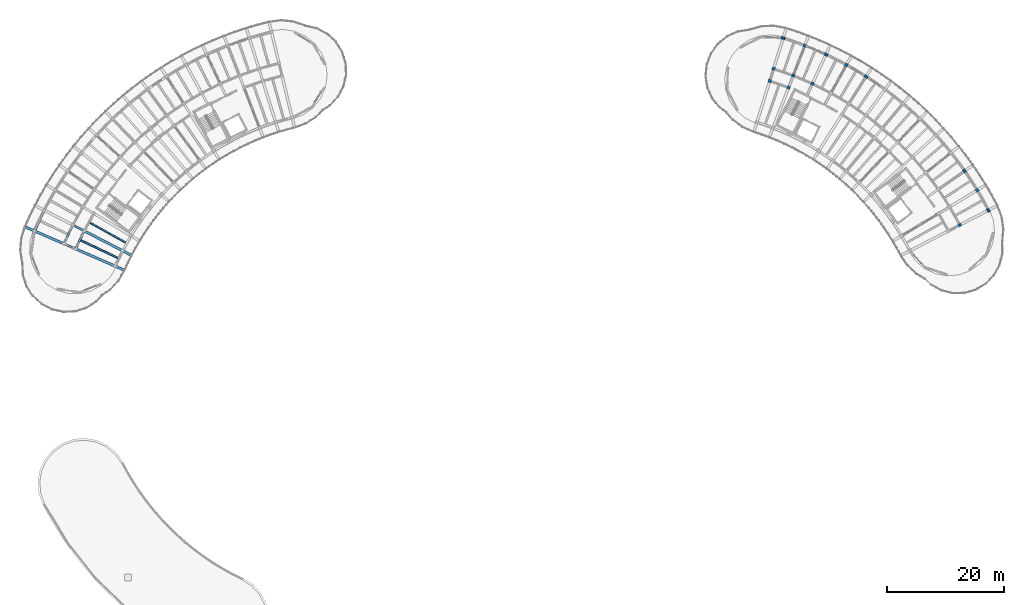
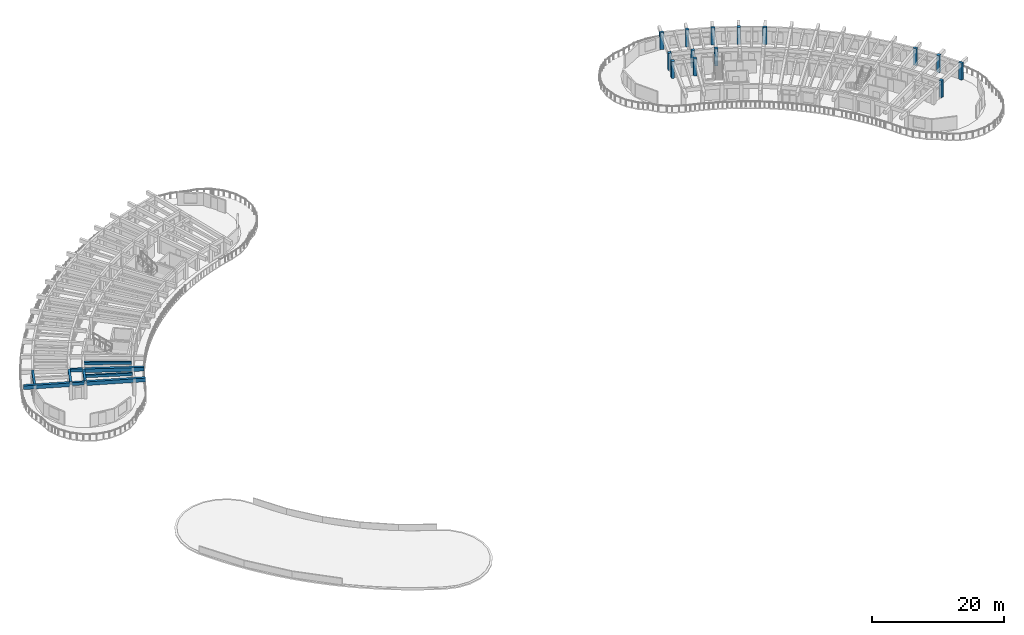
# One storey, part 2 of 36: 14 columns, 10 beams.
"""IFC4 building model written with IfcOpenShell, lengths in metres."""

import ifcopenshell
import ifcopenshell.guid

model = None  # the IFC model being written
_history = None  # IfcOwnerHistory: only IFC2X3 demands one
_inside = {}  # id of a spatial element -> (the spatial element, [elements in it])
_under = {}  # id of a project, library or spatial element -> (it, [spatial elements below it])
_declared = {}  # id of a project -> (the project, [libraries it declares])
_typed = {}  # id of a type object -> (the type object, [elements of that type])
_made_of = {}  # id of a material, layer set ... -> (it, [elements and type objects made of it])


def new_model(schema):
    """Start an empty IFC model of exactly this schema.

    Asked for "IFC4X3", IfcOpenShell would pick the latest addendum, in which some entities
    have other attributes; the version numbers below select the first issue.
    IFC2X3 requires an IfcOwnerHistory on every rooted entity: one is made here for all.
    """
    global model, _history
    if schema == "IFC4X3":
        model = ifcopenshell.file(schema_version=(4, 3, 0, 0))
    else:
        model = ifcopenshell.file(schema=schema)
    _inside.clear()
    _under.clear()
    _declared.clear()
    _typed.clear()
    _made_of.clear()
    _history = None
    if model.schema == "IFC2X3":
        org = make("IfcOrganization", Name="unknown")
        user = make(
            "IfcPersonAndOrganization",
            ThePerson=make("IfcPerson", FamilyName="unknown"),
            TheOrganization=org,
        )
        app = make(
            "IfcApplication",
            ApplicationDeveloper=org,
            Version="unknown",
            ApplicationFullName="unknown",
            ApplicationIdentifier="unknown",
        )
        _history = make(
            "IfcOwnerHistory",
            OwningUser=user,
            OwningApplication=app,
            ChangeAction="ADDED",
            CreationDate=0,
        )
    return model


def make(cls, **values):
    """One entity of the class cls with the attributes given. An attribute that is None is left unset."""
    return model.create_entity(
        cls, **{name: value for name, value in values.items() if value is not None}
    )


def rooted(cls, **values):
    """An entity with a GlobalId (a new one), such as an element, a storey or a relation."""
    return make(cls, GlobalId=ifcopenshell.guid.new(), OwnerHistory=_history, **values)


def si_unit(unit_type, name, prefix=None):
    """IfcSIUnit, for example si_unit("LENGTHUNIT", "METRE", prefix="MILLI")."""
    return make("IfcSIUnit", UnitType=unit_type, Prefix=prefix, Name=name)


def assignment(units):
    """IfcUnitAssignment: the units of a project."""
    return None if units is None else make("IfcUnitAssignment", Units=units)


def point(xyz):
    """IfcCartesianPoint."""
    return None if xyz is None else make("IfcCartesianPoint", Coordinates=xyz)


def direction(xyz):
    """IfcDirection."""
    return None if xyz is None else make("IfcDirection", DirectionRatios=xyz)


def frame(location, z_axis=None, x_axis=None):
    """IfcAxis2Placement3D, a coordinate frame: its origin and axes. An axis left out is left unset."""
    return make(
        "IfcAxis2Placement3D",
        Location=point(location),
        Axis=direction(z_axis),
        RefDirection=direction(x_axis),
    )


def frame_2d(location, x_axis=None):
    """IfcAxis2Placement2D, a coordinate frame in the plane: its origin and x axis."""
    return make(
        "IfcAxis2Placement2D", Location=point(location), RefDirection=direction(x_axis)
    )


def origin():
    """The frame at (0, 0, 0) with its axes left unset."""
    return frame((0.0, 0.0, 0.0))


def origin_2d():
    """The frame at (0, 0) in the plane with its x axis left unset."""
    return frame_2d((0.0, 0.0))


def place(relative_to, where):
    """IfcLocalPlacement: puts the frame where relative to a parent placement (None: the world)."""
    return make(
        "IfcLocalPlacement", PlacementRelTo=relative_to, RelativePlacement=where
    )


def context(
    kind, dimensions, precision=None, world=None, true_north=None, identifier=None
):
    """IfcGeometricRepresentationContext, for example the 3D "Model" context."""
    return make(
        "IfcGeometricRepresentationContext",
        ContextIdentifier=identifier,
        ContextType=kind,
        CoordinateSpaceDimension=dimensions,
        Precision=precision,
        WorldCoordinateSystem=world,
        TrueNorth=true_north,
    )


def subcontext(parent, identifier, kind, view, scale=None):
    """IfcGeometricRepresentationSubContext, for example "Body" below "Model"."""
    return make(
        "IfcGeometricRepresentationSubContext",
        ContextIdentifier=identifier,
        ContextType=kind,
        ParentContext=parent,
        TargetScale=scale,
        TargetView=view,
    )


def project(units=None, contexts=None):
    """IfcProject with its units and contexts."""
    return rooted(
        "IfcProject",
        Name="project",
        RepresentationContexts=contexts,
        UnitsInContext=assignment(units),
    )


def spatial(cls, under=None, at=None, **own):
    """A site, building, storey or space (cls), placed at a placement, below another one or the project."""
    s = rooted(cls, ObjectPlacement=at, **own)
    if under is not None:
        _under.setdefault(under.id(), (under, []))[1].append(s)
    return s


def profile(cls, at=None, kind="AREA", **sizes):
    """A parametric profile (cls). Its sizes go by their IFC names, for example OverallWidth=200.0."""
    return make(cls, ProfileType=kind, Position=at, **sizes)


def rectangle(**sizes):
    """IfcRectangleProfileDef."""
    return profile("IfcRectangleProfileDef", **sizes)


def extrude(swept, where, along, depth):
    """IfcExtrudedAreaSolid: the profile swept, set in the frame where, extruded along a direction by depth."""
    return make(
        "IfcExtrudedAreaSolid",
        SweptArea=swept,
        Position=where,
        ExtrudedDirection=direction(along),
        Depth=depth,
    )


def shape(context_of_items, identifier, shape_type, items):
    """IfcShapeRepresentation: the items that make up one representation, for example the "Body"."""
    return make(
        "IfcShapeRepresentation",
        ContextOfItems=context_of_items,
        RepresentationIdentifier=identifier,
        RepresentationType=shape_type,
        Items=items,
    )


def material(Name=None, Category=None):
    """IfcMaterial."""
    return make("IfcMaterial", Name=Name, Category=Category)


def material_profile(
    of_material, cross_section, Name=None, Category=None, Priority=None
):
    """IfcMaterialProfile: a cross section and its material."""
    return make(
        "IfcMaterialProfile",
        Name=Name,
        Material=of_material,
        Profile=cross_section,
        Priority=Priority,
        Category=Category,
    )


def profile_set(profiles, Name=None, composite=None):
    """IfcMaterialProfileSet."""
    return make(
        "IfcMaterialProfileSet",
        Name=Name,
        MaterialProfiles=profiles,
        CompositeProfile=composite,
    )


def made_of(thing, what):
    """Note that an element or type object is made of a material, layer set ...; save() writes the relation."""
    if what is not None:
        _made_of.setdefault(what.id(), (what, []))[1].append(thing)
    return thing


def type_object(cls, material=None, **own):
    """A type object (cls), such as IfcWallType, which elements share."""
    return made_of(rooted(cls, **own), material)


def element(
    cls,
    number,
    at=None,
    inside=None,
    cuts=None,
    type_object=None,
    material=None,
    context=None,
    identifier="Body",
    shape_type=None,
    held_by="IfcProductDefinitionShape",
    body=None,
    shapes=None,
    **own,
):
    """One element of the class cls, such as IfcWall. Its Tag is "e" and its number.

    at: its placement. inside: the storey or other place that contains it. cuts: it is an
    opening in that element (IfcRelVoidsElement). A single representation is given by context,
    identifier, shape_type and body (its items); several are given by shapes. held_by: the class
    of the entity that holds the representations. save() writes the other relations.
    """
    e = rooted(cls, Tag="e%d" % number, ObjectPlacement=at, **own)
    if body is not None:
        shapes = [shape(context, identifier, shape_type, body)]
    if shapes is not None:
        e.Representation = make(held_by, Representations=shapes)
    if inside is not None:
        _inside.setdefault(inside.id(), (inside, []))[1].append(e)
    if cuts is not None:
        rooted(
            "IfcRelVoidsElement", RelatingBuildingElement=cuts, RelatedOpeningElement=e
        )
    if type_object is not None:
        _typed.setdefault(type_object.id(), (type_object, []))[1].append(e)
    return made_of(e, material)


def aggregate(whole, parts):
    """IfcRelAggregates: a whole, such as a stair, and the parts it consists of."""
    return rooted("IfcRelAggregates", RelatingObject=whole, RelatedObjects=parts)


def save(model, path):
    """Write the relations noted so far, then the file.

    IfcRelAggregates (storeys below a building ...), IfcRelContainedInSpatialStructure (elements
    in a storey), IfcRelDefinesByType, IfcRelAssociatesMaterial and IfcRelDeclares: one each for
    every whole, place, type object, material and project.
    """
    for whole, parts in _under.values():
        aggregate(whole, parts)
    for where, things in _inside.values():
        rooted(
            "IfcRelContainedInSpatialStructure",
            RelatedElements=things,
            RelatingStructure=where,
        )
    for kind, things in _typed.values():
        rooted("IfcRelDefinesByType", RelatedObjects=things, RelatingType=kind)
    for what, things in _made_of.values():
        rooted("IfcRelAssociatesMaterial", RelatedObjects=things, RelatingMaterial=what)
    for by, libraries in _declared.values():
        rooted("IfcRelDeclares", RelatingContext=by, RelatedDefinitions=libraries)
    model.write(path)


model = new_model("IFC4")

# Units and contexts
model_context = context("Model", 3, precision=1e-05, world=origin(), true_north=direction((0.0, 1.0)))
body_context = subcontext(model_context, "Body", "Model", "MODEL_VIEW")
ifc_project = project(units=[si_unit("LENGTHUNIT", "METRE"), si_unit("AREAUNIT", "SQUARE_METRE"), si_unit("VOLUMEUNIT", "CUBIC_METRE"), si_unit("PLANEANGLEUNIT", "RADIAN"), si_unit("MASSUNIT", "GRAM", prefix="KILO")], contexts=[model_context])

# Site, building, storey
site_placement = place(None, origin())
site = spatial("IfcSite", under=ifc_project, at=site_placement, CompositionType="ELEMENT")
building_placement = place(site_placement, origin())
building = spatial("IfcBuilding", under=site, at=building_placement, Name="Tanwirah Colonnade Gardens", CompositionType="ELEMENT")
storey_placement = place(building_placement, frame((0.0, 0.0, 39.080078125)))
storey = spatial("IfcBuildingStorey", under=building, at=storey_placement, Name="L11", CompositionType="ELEMENT", Elevation=39.080078125)

# Columns
ifc_material_1 = material(Name="Precast concrete C45/55", Category="concrete")
ifc_material_profile_1 = material_profile(ifc_material_1, rectangle(XDim=0.52001953125, YDim=0.52001953125, at=origin_2d()), Name="PC-COL 520x520")
ifc_profile_set_1 = profile_set([ifc_material_profile_1], Name="Precast concrete C45/55")
column_type_1 = type_object("IfcColumnType", Name="C-PC520", PredefinedType="COLUMN", material=ifc_profile_set_1)
for number, where, z_axis, x_axis, name in (
    (1, (169.015380859375, 85.01806640625, 0.0), (0.0, 0.0, 1.0), (0.88835024545, 0.459166463723, 0.0), "Block B L11 Column 3-R2"),
    (2, (171.984619140625, 90.969482421875, 0.0), (0.0, 0.0, 1.0), (0.856166891514, 0.516699384434, 0.0), "Block B L11 Column 4-R3"),
    (3, (149.56689453125, 112.45068359375, 0.0), (0.0, 0.0, 1.0), (0.479713072413, 0.877425420281, 0.0), "Block B L11 Column 12-R3"),
    (4, (143.74755859375, 109.230224609375, 0.0), (0.0, 0.0, 1.0), (0.420859860775, 0.907125668024, 0.0), "Block B L11 Column 13-R2"),
    (5, (139.67529296875, 108.570068359375, 0.0), (0.0, 0.0, 1.0), (0.36017767415, 0.932883724289, 0.0), "Block B L11 Column 14-R1"),
    (6, (140.467529296875, 110.622314453125, 0.0), (0.0, 0.0, 1.0), (0.36017767415, 0.932883724289, 0.0), "Block B L11 Column 14-R2"),
    (7, (142.448486328125, 115.753173828125, 0.0), (0.0, 0.0, 1.0), (0.36017767415, 0.932883724289, 0.0), "Block B L11 Column 14-R3"),
    (8, (136.44775390625, 109.6953125, 0.0), (0.0, 0.0, 1.0), (0.297930225503, 0.954587649581, 0.0), "Block B L11 Column 15-R1"),
    (9, (137.10302734375, 111.79541015625, 0.0), (0.0, 0.0, 1.0), (0.297930225503, 0.954587649581, 0.0), "Block B L11 Column 15-R2"),
):
    element("IfcColumn", number, at=place(storey_placement, frame(where, z_axis=z_axis, x_axis=x_axis)), inside=storey, type_object=column_type_1, Name=name, PredefinedType="COLUMN", context=body_context, shape_type="SweptSolid", body=[
        extrude(rectangle(XDim=0.52001953125, YDim=0.52001953125, at=origin_2d()), origin(), (0.0, 0.0, 1.0), 3.119873046875),
    ])
ifc_material_2 = material(Name="Precast concrete C40/50", Category="concrete")
ifc_material_profile_2 = material_profile(ifc_material_2, rectangle(XDim=0.389892578125, YDim=0.6298828125, at=origin_2d()), Name="PC-PIL 390x630")
ifc_profile_set_2 = profile_set([ifc_material_profile_2], Name="Precast concrete C40/50")
column_type_2 = type_object("IfcColumnType", Name="PIL-360", PredefinedType="PILASTER", material=ifc_profile_set_2)
for number, where, z_axis, x_axis, name in (
    (10, (173.9013671875, 87.54345703125, 0.0), (0.0, 0.0, 1.0), (0.88835024545, 0.459166463723, 0.0), "Block B L11 Column 3-R3"),
    (11, (169.8466796875, 94.26171875, 0.0), (0.0, 0.0, 1.0), (0.820262803018, 0.571986830255, 0.0), "Block B L11 Column 5-R3"),
    (12, (152.947509765625, 110.455078125, 0.0), (0.0, 0.0, 1.0), (0.536481544469, 0.843912052553, 0.0), "Block B L11 Column 11-R3"),
    (13, (146.062255859375, 114.21923828125, 0.0), (0.0, 0.0, 1.0), (0.420859860775, 0.907125668024, 0.0), "Block B L11 Column 13-R3"),
    (14, (138.74169921875, 117.045654296875, 0.0), (0.0, 0.0, 1.0), (0.297930225503, 0.954587649581, 0.0), "Block B L11 Column 15-R3"),
):
    element("IfcColumn", number, at=place(storey_placement, frame(where, z_axis=z_axis, x_axis=x_axis)), inside=storey, type_object=column_type_2, Name=name, PredefinedType="PILASTER", context=body_context, shape_type="SweptSolid", body=[
        extrude(rectangle(XDim=0.389892578125, YDim=0.6298828125, at=origin_2d()), origin(), (0.0, 0.0, 1.0), 3.119873046875),
    ])

# Beams
ifc_material_profile_3 = material_profile(ifc_material_2, rectangle(XDim=0.35009765625, YDim=0.550048828125, at=origin_2d()), Name="PC-BM 350x550")
ifc_profile_set_3 = profile_set([ifc_material_profile_3], Name="Precast concrete C40/50")
beam_type_1 = type_object("IfcBeamType", Name="BM-PC350A", PredefinedType="BEAM", material=ifc_profile_set_3)
for number, where, z_axis, x_axis, name in (
    (15, (18.8056640625, 84.07666015625, 2.844970703125), (-0.888358643941, 0.459150214784, 0.0), (-0.459150214784, -0.888358643941, 0.0), "Block A L11 Corridor Tie Beam 15"),
    (16, (17.3330078125, 80.981201171875, 2.844970703125), (-0.916681481826, 0.399618644306, 0.0), (-0.399618644306, -0.916681481826, 0.0), "Block A L11 Corridor Tie Beam 16"),
):
    element("IfcBeam", number, at=place(storey_placement, frame(where, z_axis=z_axis, x_axis=x_axis)), inside=storey, type_object=beam_type_1, Name=name, PredefinedType="BEAM", context=body_context, shape_type="SweptSolid", body=[
        extrude(rectangle(XDim=0.35009765625, YDim=0.550048828125, at=origin_2d()), origin(), (0.0, 0.0, 1.0), 1.89990234375),
    ])
ifc_material_profile_4 = material_profile(ifc_material_2, rectangle(XDim=0.35009765625, YDim=0.60009765625, at=origin_2d()), Name="PC-BM 350x600")
ifc_profile_set_4 = profile_set([ifc_material_profile_4], Name="Precast concrete C40/50")
beam_type_2 = type_object("IfcBeamType", Name="BM-PC350B", PredefinedType="BEAM", material=ifc_profile_set_4)
beam_1_placement = place(storey_placement, frame((18.87451171875, 83.872314453125, 2.81982421875), z_axis=(-0.429620507728, -0.903009534468, 0.0), x_axis=(0.903009534468, -0.429620507728, 0.0)))
element("IfcBeam", 17, at=beam_1_placement, inside=storey, type_object=beam_type_2, Name="Block A L11 Circumferential Beam 15-R1", PredefinedType="BEAM", context=body_context, shape_type="SweptSolid", body=[
    extrude(rectangle(XDim=0.35009765625, YDim=0.60009765625, at=origin_2d()), origin(), (0.0, 0.0, 1.0), 3.1181640625),
])
beam_2_placement = place(storey_placement, frame((16.920166015625, 84.882568359375, 2.81982421875), z_axis=(-0.4295908638, -0.90302363742, 0.0), x_axis=(0.90302363742, -0.4295908638, 0.0)))
element("IfcBeam", 18, at=beam_2_placement, inside=storey, type_object=beam_type_2, Name="Block A L11 Circumferential Beam 15-R2", PredefinedType="BEAM", context=body_context, shape_type="SweptSolid", body=[
    extrude(rectangle(XDim=0.35009765625, YDim=0.60009765625, at=origin_2d()), origin(), (0.0, 0.0, 1.0), 3.26318359375),
])
ifc_material_profile_5 = material_profile(ifc_material_1, rectangle(XDim=0.419921875, YDim=0.679931640625, at=origin_2d()), Name="PC-BM 420x680")
ifc_profile_set_5 = profile_set([ifc_material_profile_5], Name="Precast concrete C45/55")
beam_type_3 = type_object("IfcBeamType", Name="BM-PC420", PredefinedType="BEAM", material=ifc_profile_set_5)
beam_3_placement = place(storey_placement, frame((19.072265625, 83.93896484375, 2.780029296875), z_axis=(0.888345427876, -0.459175784175, 0.0), x_axis=(0.459175784175, 0.888345427876, 0.0)))
element("IfcBeam", 19, at=beam_3_placement, inside=storey, type_object=beam_type_3, Name="Block A L11 Inner Radial Precast Girder 15", PredefinedType="BEAM", context=body_context, shape_type="SweptSolid", body=[
    extrude(rectangle(XDim=0.419921875, YDim=0.679931640625, at=origin_2d()), origin(), (0.0, 0.0, 1.0), 8.949951171875),
])
beam_4_placement = place(storey_placement, frame((17.60791015625, 80.861328125, 2.780029296875), z_axis=(0.916669317869, -0.399646545934, 0.0), x_axis=(0.399646545934, 0.916669317869, 0.0)))
element("IfcBeam", 20, at=beam_4_placement, inside=storey, type_object=beam_type_3, Name="Block A L11 Inner Radial Precast Girder 16", PredefinedType="BEAM", context=body_context, shape_type="SweptSolid", body=[
    extrude(rectangle(XDim=0.419921875, YDim=0.679931640625, at=origin_2d()), origin(), (0.0, 0.0, 1.0), 8.9501953125),
])
beam_5_placement = place(storey_placement, frame((15.31640625, 81.8603515625, 2.780029296875), z_axis=(-0.916678725612, 0.399624966702, 0.0), x_axis=(-0.399624966702, -0.916678725612, 0.0)))
element("IfcBeam", 21, at=beam_5_placement, inside=storey, type_object=beam_type_3, Name="Block A L11 Outer Radial Precast Girder 16", PredefinedType="BEAM", context=body_context, shape_type="SweptSolid", body=[
    extrude(rectangle(XDim=0.419921875, YDim=0.679931640625, at=origin_2d()), origin(), (0.0, 0.0, 1.0), 7.050048828125),
])
ifc_material_profile_6 = material_profile(ifc_material_2, rectangle(XDim=0.280029296875, YDim=0.47998046875, at=origin_2d()), Name="PC-JST 280x480")
ifc_profile_set_6 = profile_set([ifc_material_profile_6], Name="Precast concrete C40/50")
beam_type_4 = type_object("IfcBeamType", Name="JST-PC280", PredefinedType="JOIST", material=ifc_profile_set_6)
for number, where, z_axis, x_axis, name in (
    (22, (26.102294921875, 81.958984375, 2.8798828125), (-0.872726875563, 0.488208767506, 0.0), (-0.488208767506, -0.872726875563, 0.0), "Block A L11 Inner Precast Floor Joist 14"),
    (23, (24.753173828125, 79.348876953125, 2.8798828125), (-0.903005429363, 0.429629136048, 0.0), (-0.429629136048, -0.903005429363, 0.0), "Block A L11 Inner Precast Floor Joist 15"),
):
    element("IfcBeam", number, at=place(storey_placement, frame(where, z_axis=z_axis, x_axis=x_axis)), inside=storey, type_object=beam_type_4, Name=name, PredefinedType="JOIST", context=body_context, shape_type="SweptSolid", body=[
        extrude(rectangle(XDim=0.280029296875, YDim=0.47998046875, at=origin_2d()), origin(), (0.0, 0.0, 1.0), 7.16015625),
    ])
ifc_material_profile_7 = material_profile(ifc_material_1, rectangle(XDim=0.320068359375, YDim=0.679931640625, at=origin_2d()), Name="PC-SP 320x680")
ifc_profile_set_7 = profile_set([ifc_material_profile_7], Name="Precast concrete C45/55")
beam_type_5 = type_object("IfcBeamType", Name="SP-PC320", PredefinedType="SPANDREL", material=ifc_profile_set_7)
beam_6_placement = place(storey_placement, frame((12.0341796875, 87.407958984375, 2.780029296875), z_axis=(-0.429593766142, -0.903022256698, 0.0), x_axis=(0.903022256698, -0.429593766142, 0.0)))
element("IfcBeam", 24, at=beam_6_placement, inside=storey, type_object=beam_type_5, Name="Block A L11 Circumferential Beam 15-R3", PredefinedType="SPANDREL", context=body_context, shape_type="SweptSolid", body=[
    extrude(rectangle(XDim=0.320068359375, YDim=0.679931640625, at=origin_2d()), origin(), (0.0, 0.0, 1.0), 3.625732421875),
])

save(model, "model.ifc")
